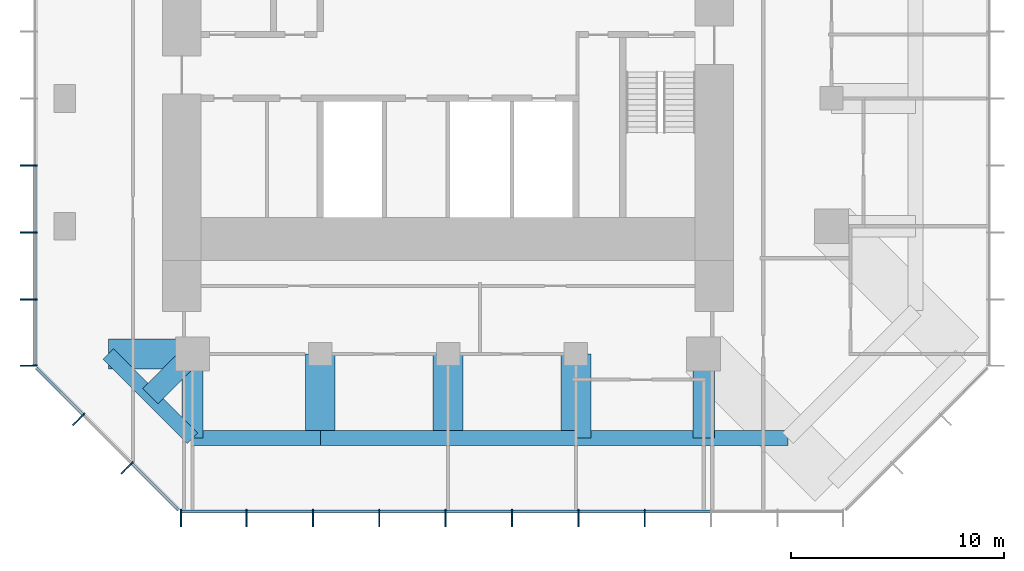
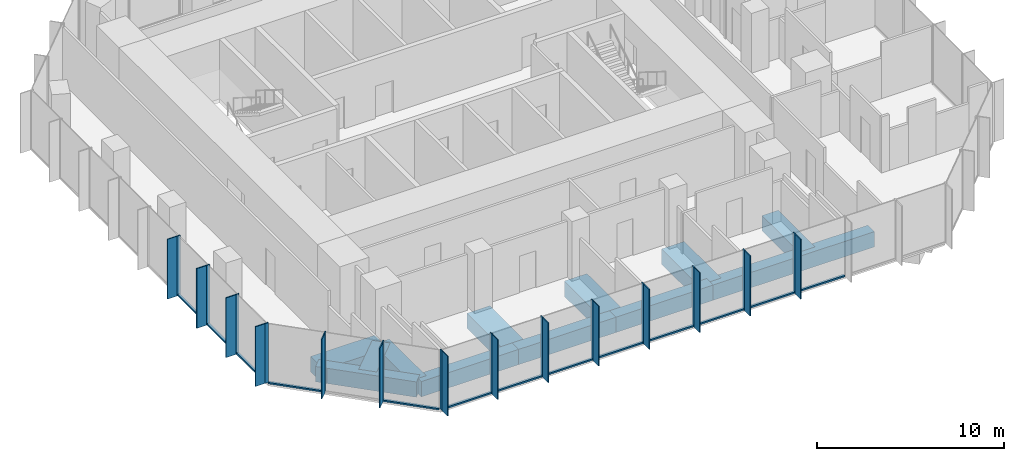
# One storey, part 2 of 11: 41 members, 12 beams, 3 elements without a shape of their own.
"""IFC4 building model written with IfcOpenShell, lengths in metres."""

from ifc_helpers import new_model, si_unit, direction, frame, origin, origin_2d, place, context, subcontext, project, spatial, rectangle, extrude, material, layer, layer_set, material_profile, profile_set, type_object, element, aggregate, save


model = new_model("IFC4")

# Units and contexts
model_context = context("Model", 3, precision=1e-05, world=origin(), true_north=direction((0.0, 1.0)))
body_context = subcontext(model_context, "Body", "Model", "MODEL_VIEW")
ifc_project = project(units=[si_unit("LENGTHUNIT", "METRE"), si_unit("AREAUNIT", "SQUARE_METRE"), si_unit("VOLUMEUNIT", "CUBIC_METRE"), si_unit("PLANEANGLEUNIT", "RADIAN"), si_unit("MASSUNIT", "GRAM", prefix="KILO")], contexts=[model_context])

# Site, building, storey
site_placement = place(None, origin())
site = spatial("IfcSite", under=ifc_project, at=site_placement, CompositionType="ELEMENT")
building_placement = place(site_placement, origin())
building = spatial("IfcBuilding", under=site, at=building_placement, Name="Highveld Stack Headquarters", CompositionType="ELEMENT")
storey_placement = place(building_placement, frame((0.0, 0.0, 284.0)))
storey = spatial("IfcBuildingStorey", under=building, at=storey_placement, Name="L70", CompositionType="ELEMENT", Elevation=284.0)

# Beams
ifc_material_1 = material(Name="Concrete C60/75", Category="concrete")
ifc_material_profile_1 = material_profile(ifc_material_1, rectangle(XDim=1.0, YDim=1.0, at=origin_2d()), Name="RC 1000x1000")
ifc_profile_set_1 = profile_set([ifc_material_profile_1], Name="Concrete C60/75")
beam_type_1 = type_object("IfcBeamType", Name="CANTILEVER RIB RC 1000x1000", PredefinedType="USERDEFINED", material=ifc_profile_set_1)
beam_1_placement = place(storey_placement, frame((-6.0, -12.0, -0.75), z_axis=(0.0, -1.0, 0.0), x_axis=(1.0, 0.0, 0.0)))
element("IfcBeam", 1, at=beam_1_placement, inside=storey, type_object=beam_type_1, Name="Cantilever rib 5/C L70", ObjectType="CANTILEVER RIB", PredefinedType="USERDEFINED", context=body_context, shape_type="SweptSolid", body=[
    extrude(rectangle(XDim=1.0, YDim=1.0, at=origin_2d()), origin(), (0.0, 0.0, 1.0), 3.949951171875),
])
beam_2_placement = place(storey_placement, frame((-6.0, -12.0, -0.75), z_axis=(-0.707106781187, -0.707106781187, 0.0), x_axis=(0.707106781187, -0.707106781187, 0.0)))
element("IfcBeam", 2, at=beam_2_placement, inside=storey, type_object=beam_type_1, Name="Cantilever rib 5/C L70", ObjectType="CANTILEVER RIB", PredefinedType="USERDEFINED", context=body_context, shape_type="SweptSolid", body=[
    extrude(rectangle(XDim=1.0, YDim=1.0, at=origin_2d()), origin(), (0.0, 0.0, 1.0), 2.793212890625),
])
beam_3_placement = place(storey_placement, frame((18.0, -12.0, -0.75), z_axis=(0.0, -1.0, 0.0), x_axis=(1.0, 0.0, 0.0)))
element("IfcBeam", 3, at=beam_3_placement, inside=storey, type_object=beam_type_1, Name="Cantilever rib 9/C L70", ObjectType="CANTILEVER RIB", PredefinedType="USERDEFINED", context=body_context, shape_type="SweptSolid", body=[
    extrude(rectangle(XDim=1.0, YDim=1.0, at=origin_2d()), origin(), (0.0, 0.0, 1.0), 3.949951171875),
])
ifc_material_2 = material(Name="Concrete C60/75", Category="concrete")
ifc_material_profile_2 = material_profile(ifc_material_2, rectangle(XDim=1.39990234375, YDim=1.0, at=origin_2d()), Name="RC 1400x1000")
ifc_profile_set_2 = profile_set([ifc_material_profile_2], Name="Concrete C60/75")
beam_type_2 = type_object("IfcBeamType", Name="CANTILEVER RIB RC 1400x1000", PredefinedType="USERDEFINED", material=ifc_profile_set_2)
for number, where, z_axis, x_axis, name in (
    (4, (-6.0, -12.0, -0.75), (-1.0, 0.0, 0.0), (0.0, -1.0, 0.0), "Cantilever rib 5/C L70"),
    (5, (0.0, -12.0, -0.75), (0.0, -1.0, 0.0), (1.0, 0.0, 0.0), "Cantilever rib 6/C L70"),
    (6, (6.0, -12.0, -0.75), (0.0, -1.0, 0.0), (1.0, 0.0, 0.0), "Cantilever rib 7/C L70"),
    (7, (12.0, -12.0, -0.75), (0.0, -1.0, 0.0), (1.0, 0.0, 0.0), "Cantilever rib 8/C L70"),
):
    element("IfcBeam", number, at=place(storey_placement, frame(where, z_axis=z_axis, x_axis=x_axis)), inside=storey, type_object=beam_type_2, Name=name, ObjectType="CANTILEVER RIB", PredefinedType="USERDEFINED", context=body_context, shape_type="SweptSolid", body=[
        extrude(rectangle(XDim=1.39990234375, YDim=1.0, at=origin_2d()), origin(), (0.0, 0.0, 1.0), 3.949951171875),
    ])

# Curtain wall, members
ifc_material_3 = material(Name="Aluminium bronze anodised", Category="aluminium")
ifc_layer = layer(ifc_material_3, 0.199951171875)
ifc_layer_set = layer_set([ifc_layer], Name="Aluminium bronze anodised")
curtain_wall_type = type_object("IfcCurtainWallType", Name="CW5 EXECUTIVE UNITISED CURTAIN WALL", PredefinedType="NOTDEFINED", material=ifc_layer_set)
curtain_wall_1_placement = place(storey_placement, origin())
curtain_wall_1 = element("IfcCurtainWall", 8, at=curtain_wall_1_placement, inside=storey, type_object=curtain_wall_type, Name="Curtain wall CW5 L70 S", PredefinedType="NOTDEFINED")
ifc_material_4 = material(Name="Aluminium bronze anodised", Category="aluminium")
ifc_material_profile_3 = material_profile(ifc_material_4, rectangle(XDim=0.60009765625, YDim=0.06005859375, at=origin_2d()), Name="FIN 600x60")
ifc_profile_set_3 = profile_set([ifc_material_profile_3], Name="Aluminium bronze anodised")
member_type_1 = type_object("IfcMemberType", Name="CW5 BRONZE FIN 600x60", PredefinedType="USERDEFINED", material=ifc_profile_set_3)
member_1_placement = place(storey_placement, frame((-6.54736328125, -19.800048828125, 0.0), z_axis=(0.0, 0.0, 1.0), x_axis=(0.0, 1.0, 0.0)))
member_1 = element("IfcMember", 9, at=member_1_placement, type_object=member_type_1, Name="CW5 fin L70 1", ObjectType="FIN", PredefinedType="USERDEFINED", context=body_context, shape_type="SweptSolid", body=[
    extrude(rectangle(XDim=0.60009765625, YDim=0.06005859375, at=origin_2d()), origin(), (0.0, 0.0, 1.0), 3.89990234375),
])
member_2_placement = place(storey_placement, frame((-3.4638671875, -19.800048828125, 0.0), z_axis=(0.0, 0.0, 1.0), x_axis=(0.0, 1.0, 0.0)))
member_2 = element("IfcMember", 10, at=member_2_placement, type_object=member_type_1, Name="CW5 fin L70 2", ObjectType="FIN", PredefinedType="USERDEFINED", context=body_context, shape_type="SweptSolid", body=[
    extrude(rectangle(XDim=0.60009765625, YDim=0.06005859375, at=origin_2d()), origin(), (0.0, 0.0, 1.0), 3.89990234375),
])
member_3_placement = place(storey_placement, frame((-0.347900390625, -19.800048828125, 0.0), z_axis=(0.0, 0.0, 1.0), x_axis=(0.0, 1.0, 0.0)))
member_3 = element("IfcMember", 11, at=member_3_placement, type_object=member_type_1, Name="CW5 fin L70 3", ObjectType="FIN", PredefinedType="USERDEFINED", context=body_context, shape_type="SweptSolid", body=[
    extrude(rectangle(XDim=0.60009765625, YDim=0.06005859375, at=origin_2d()), origin(), (0.0, 0.0, 1.0), 3.89990234375),
])
member_4_placement = place(storey_placement, frame((2.76806640625, -19.800048828125, 0.0), z_axis=(0.0, 0.0, 1.0), x_axis=(0.0, 1.0, 0.0)))
member_4 = element("IfcMember", 12, at=member_4_placement, type_object=member_type_1, Name="CW5 fin L70 4", ObjectType="FIN", PredefinedType="USERDEFINED", context=body_context, shape_type="SweptSolid", body=[
    extrude(rectangle(XDim=0.60009765625, YDim=0.06005859375, at=origin_2d()), origin(), (0.0, 0.0, 1.0), 3.89990234375),
])
member_5_placement = place(storey_placement, frame((5.884033203125, -19.800048828125, 0.0), z_axis=(0.0, 0.0, 1.0), x_axis=(0.0, 1.0, 0.0)))
member_5 = element("IfcMember", 13, at=member_5_placement, type_object=member_type_1, Name="CW5 fin L70 5", ObjectType="FIN", PredefinedType="USERDEFINED", context=body_context, shape_type="SweptSolid", body=[
    extrude(rectangle(XDim=0.60009765625, YDim=0.06005859375, at=origin_2d()), origin(), (0.0, 0.0, 1.0), 3.89990234375),
])
member_6_placement = place(storey_placement, frame((9.0, -19.800048828125, 0.0), z_axis=(0.0, 0.0, 1.0), x_axis=(0.0, 1.0, 0.0)))
member_6 = element("IfcMember", 14, at=member_6_placement, type_object=member_type_1, Name="CW5 fin L70 6", ObjectType="FIN", PredefinedType="USERDEFINED", context=body_context, shape_type="SweptSolid", body=[
    extrude(rectangle(XDim=0.60009765625, YDim=0.06005859375, at=origin_2d()), origin(), (0.0, 0.0, 1.0), 3.89990234375),
])
member_7_placement = place(storey_placement, frame((12.115966796875, -19.800048828125, 0.0), z_axis=(0.0, 0.0, 1.0), x_axis=(0.0, 1.0, 0.0)))
member_7 = element("IfcMember", 15, at=member_7_placement, type_object=member_type_1, Name="CW5 fin L70 7", ObjectType="FIN", PredefinedType="USERDEFINED", context=body_context, shape_type="SweptSolid", body=[
    extrude(rectangle(XDim=0.60009765625, YDim=0.06005859375, at=origin_2d()), origin(), (0.0, 0.0, 1.0), 3.89990234375),
])
member_8_placement = place(storey_placement, frame((15.23193359375, -19.800048828125, 0.0), z_axis=(0.0, 0.0, 1.0), x_axis=(0.0, 1.0, 0.0)))
member_8 = element("IfcMember", 16, at=member_8_placement, type_object=member_type_1, Name="CW5 fin L70 8", ObjectType="FIN", PredefinedType="USERDEFINED", context=body_context, shape_type="SweptSolid", body=[
    extrude(rectangle(XDim=0.60009765625, YDim=0.06005859375, at=origin_2d()), origin(), (0.0, 0.0, 1.0), 3.89990234375),
])

curtain_wall_2_placement = place(storey_placement, origin())
curtain_wall_2 = element("IfcCurtainWall", 17, at=curtain_wall_2_placement, inside=storey, type_object=curtain_wall_type, Name="Curtain wall CW5 L70 W", PredefinedType="NOTDEFINED")
member_9_placement = place(storey_placement, frame((-13.800048828125, -3.14501953125, 0.0), z_axis=(0.0, 0.0, 1.0), x_axis=(1.0, 0.0, 0.0)))
member_9 = element("IfcMember", 18, at=member_9_placement, type_object=member_type_1, Name="CW5 fin L70 6", ObjectType="FIN", PredefinedType="USERDEFINED", context=body_context, shape_type="SweptSolid", body=[
    extrude(rectangle(XDim=0.60009765625, YDim=0.06005859375, at=origin_2d()), origin(), (0.0, 0.0, 1.0), 3.89990234375),
])
member_10_placement = place(storey_placement, frame((-13.800048828125, -6.289794921875, 0.0), z_axis=(0.0, 0.0, 1.0), x_axis=(1.0, 0.0, 0.0)))
member_10 = element("IfcMember", 19, at=member_10_placement, type_object=member_type_1, Name="CW5 fin L70 7", ObjectType="FIN", PredefinedType="USERDEFINED", context=body_context, shape_type="SweptSolid", body=[
    extrude(rectangle(XDim=0.60009765625, YDim=0.06005859375, at=origin_2d()), origin(), (0.0, 0.0, 1.0), 3.89990234375),
])
member_11_placement = place(storey_placement, frame((-13.800048828125, -9.434814453125, 0.0), z_axis=(0.0, 0.0, 1.0), x_axis=(1.0, 0.0, 0.0)))
member_11 = element("IfcMember", 20, at=member_11_placement, type_object=member_type_1, Name="CW5 fin L70 8", ObjectType="FIN", PredefinedType="USERDEFINED", context=body_context, shape_type="SweptSolid", body=[
    extrude(rectangle(XDim=0.60009765625, YDim=0.06005859375, at=origin_2d()), origin(), (0.0, 0.0, 1.0), 3.89990234375),
])
member_12_placement = place(storey_placement, frame((-13.800048828125, -12.54736328125, 0.0), z_axis=(0.0, 0.0, 1.0), x_axis=(1.0, 0.0, 0.0)))
member_12 = element("IfcMember", 21, at=member_12_placement, type_object=member_type_1, Name="CW5 fin L70 9", ObjectType="FIN", PredefinedType="USERDEFINED", context=body_context, shape_type="SweptSolid", body=[
    extrude(rectangle(XDim=0.60009765625, YDim=0.06005859375, at=origin_2d()), origin(), (0.0, 0.0, 1.0), 3.89990234375),
])

curtain_wall_3_placement = place(storey_placement, origin())
curtain_wall_3 = element("IfcCurtainWall", 22, at=curtain_wall_3_placement, inside=storey, type_object=curtain_wall_type, Name="Curtain wall CW5 L70 SW", PredefinedType="NOTDEFINED")
member_13_placement = place(storey_placement, frame((-11.409423828125, -15.135986328125, 0.0), z_axis=(0.0, 0.0, 1.0), x_axis=(0.707106781187, 0.707106781187, 0.0)))
member_13 = element("IfcMember", 23, at=member_13_placement, type_object=member_type_1, Name="CW5 fin L70 1", ObjectType="FIN", PredefinedType="USERDEFINED", context=body_context, shape_type="SweptSolid", body=[
    extrude(rectangle(XDim=0.60009765625, YDim=0.06005859375, at=origin_2d()), origin(), (0.0, 0.0, 1.0), 3.89990234375),
])
member_14_placement = place(storey_placement, frame((-9.135986328125, -17.409423828125, 0.0), z_axis=(0.0, 0.0, 1.0), x_axis=(0.707106781187, 0.707106781187, 0.0)))
member_14 = element("IfcMember", 24, at=member_14_placement, type_object=member_type_1, Name="CW5 fin L70 2", ObjectType="FIN", PredefinedType="USERDEFINED", context=body_context, shape_type="SweptSolid", body=[
    extrude(rectangle(XDim=0.60009765625, YDim=0.06005859375, at=origin_2d()), origin(), (0.0, 0.0, 1.0), 3.89990234375),
])

# Member
ifc_material_5 = material(Name="Aluminium bronze anodised", Category="aluminium")
ifc_material_profile_4 = material_profile(ifc_material_5, rectangle(XDim=0.199951171875, YDim=0.06494140625, at=origin_2d()), Name="CW5 MULLION 65x200")
ifc_profile_set_4 = profile_set([ifc_material_profile_4], Name="Aluminium bronze anodised")
member_type_2 = type_object("IfcMemberType", Name="CW5 MULLION 65x200", PredefinedType="MULLION", material=ifc_profile_set_4)
member_15_placement = place(storey_placement, frame((-6.54736328125, -19.39990234375, 0.0), z_axis=(0.0, 0.0, 1.0), x_axis=(0.0, 1.0, 0.0)))
member_15 = element("IfcMember", 25, at=member_15_placement, type_object=member_type_2, Name="CW5 mullion L70 1", PredefinedType="MULLION", context=body_context, shape_type="SweptSolid", body=[
    extrude(rectangle(XDim=0.199951171875, YDim=0.06494140625, at=origin_2d()), origin(), (0.0, 0.0, 1.0), 3.89990234375),
])

member_16_placement = place(storey_placement, frame((-3.4638671875, -19.39990234375, 0.0), z_axis=(0.0, 0.0, 1.0), x_axis=(0.0, 1.0, 0.0)))
member_16 = element("IfcMember", 26, at=member_16_placement, type_object=member_type_2, Name="CW5 mullion L70 2", PredefinedType="MULLION", context=body_context, shape_type="SweptSolid", body=[
    extrude(rectangle(XDim=0.199951171875, YDim=0.06494140625, at=origin_2d()), origin(), (0.0, 0.0, 1.0), 3.89990234375),
])

member_17_placement = place(storey_placement, frame((-0.347900390625, -19.39990234375, 0.0), z_axis=(0.0, 0.0, 1.0), x_axis=(0.0, 1.0, 0.0)))
member_17 = element("IfcMember", 27, at=member_17_placement, type_object=member_type_2, Name="CW5 mullion L70 3", PredefinedType="MULLION", context=body_context, shape_type="SweptSolid", body=[
    extrude(rectangle(XDim=0.199951171875, YDim=0.06494140625, at=origin_2d()), origin(), (0.0, 0.0, 1.0), 3.89990234375),
])

member_18_placement = place(storey_placement, frame((2.76806640625, -19.39990234375, 0.0), z_axis=(0.0, 0.0, 1.0), x_axis=(0.0, 1.0, 0.0)))
member_18 = element("IfcMember", 28, at=member_18_placement, type_object=member_type_2, Name="CW5 mullion L70 4", PredefinedType="MULLION", context=body_context, shape_type="SweptSolid", body=[
    extrude(rectangle(XDim=0.199951171875, YDim=0.06494140625, at=origin_2d()), origin(), (0.0, 0.0, 1.0), 3.89990234375),
])

member_19_placement = place(storey_placement, frame((5.884033203125, -19.39990234375, 0.0), z_axis=(0.0, 0.0, 1.0), x_axis=(0.0, 1.0, 0.0)))
member_19 = element("IfcMember", 29, at=member_19_placement, type_object=member_type_2, Name="CW5 mullion L70 5", PredefinedType="MULLION", context=body_context, shape_type="SweptSolid", body=[
    extrude(rectangle(XDim=0.199951171875, YDim=0.06494140625, at=origin_2d()), origin(), (0.0, 0.0, 1.0), 3.89990234375),
])

member_20_placement = place(storey_placement, frame((9.0, -19.39990234375, 0.0), z_axis=(0.0, 0.0, 1.0), x_axis=(0.0, 1.0, 0.0)))
member_20 = element("IfcMember", 30, at=member_20_placement, type_object=member_type_2, Name="CW5 mullion L70 6", PredefinedType="MULLION", context=body_context, shape_type="SweptSolid", body=[
    extrude(rectangle(XDim=0.199951171875, YDim=0.06494140625, at=origin_2d()), origin(), (0.0, 0.0, 1.0), 3.89990234375),
])

member_21_placement = place(storey_placement, frame((12.115966796875, -19.39990234375, 0.0), z_axis=(0.0, 0.0, 1.0), x_axis=(0.0, 1.0, 0.0)))
member_21 = element("IfcMember", 31, at=member_21_placement, type_object=member_type_2, Name="CW5 mullion L70 7", PredefinedType="MULLION", context=body_context, shape_type="SweptSolid", body=[
    extrude(rectangle(XDim=0.199951171875, YDim=0.06494140625, at=origin_2d()), origin(), (0.0, 0.0, 1.0), 3.89990234375),
])

member_22_placement = place(storey_placement, frame((15.23193359375, -19.39990234375, 0.0), z_axis=(0.0, 0.0, 1.0), x_axis=(0.0, 1.0, 0.0)))
member_22 = element("IfcMember", 32, at=member_22_placement, type_object=member_type_2, Name="CW5 mullion L70 8", PredefinedType="MULLION", context=body_context, shape_type="SweptSolid", body=[
    extrude(rectangle(XDim=0.199951171875, YDim=0.06494140625, at=origin_2d()), origin(), (0.0, 0.0, 1.0), 3.89990234375),
])

member_23_placement = place(storey_placement, frame((-13.39990234375, -3.14501953125, 0.0), z_axis=(0.0, 0.0, 1.0), x_axis=(1.0, 0.0, 0.0)))
member_23 = element("IfcMember", 33, at=member_23_placement, type_object=member_type_2, Name="CW5 mullion L70 6", PredefinedType="MULLION", context=body_context, shape_type="SweptSolid", body=[
    extrude(rectangle(XDim=0.199951171875, YDim=0.06494140625, at=origin_2d()), origin(), (0.0, 0.0, 1.0), 3.89990234375),
])

member_24_placement = place(storey_placement, frame((-13.39990234375, -6.289794921875, 0.0), z_axis=(0.0, 0.0, 1.0), x_axis=(1.0, 0.0, 0.0)))
member_24 = element("IfcMember", 34, at=member_24_placement, type_object=member_type_2, Name="CW5 mullion L70 7", PredefinedType="MULLION", context=body_context, shape_type="SweptSolid", body=[
    extrude(rectangle(XDim=0.199951171875, YDim=0.06494140625, at=origin_2d()), origin(), (0.0, 0.0, 1.0), 3.89990234375),
])

member_25_placement = place(storey_placement, frame((-13.39990234375, -9.434814453125, 0.0), z_axis=(0.0, 0.0, 1.0), x_axis=(1.0, 0.0, 0.0)))
member_25 = element("IfcMember", 35, at=member_25_placement, type_object=member_type_2, Name="CW5 mullion L70 8", PredefinedType="MULLION", context=body_context, shape_type="SweptSolid", body=[
    extrude(rectangle(XDim=0.199951171875, YDim=0.06494140625, at=origin_2d()), origin(), (0.0, 0.0, 1.0), 3.89990234375),
])

member_26_placement = place(storey_placement, frame((-13.39990234375, -12.54736328125, 0.0), z_axis=(0.0, 0.0, 1.0), x_axis=(1.0, 0.0, 0.0)))
member_26 = element("IfcMember", 36, at=member_26_placement, type_object=member_type_2, Name="CW5 mullion L70 9", PredefinedType="MULLION", context=body_context, shape_type="SweptSolid", body=[
    extrude(rectangle(XDim=0.199951171875, YDim=0.06494140625, at=origin_2d()), origin(), (0.0, 0.0, 1.0), 3.89990234375),
])

member_27_placement = place(storey_placement, frame((-11.126708984375, -14.853271484375, 0.0), z_axis=(0.0, 0.0, 1.0), x_axis=(0.707106781187, 0.707106781187, 0.0)))
member_27 = element("IfcMember", 37, at=member_27_placement, type_object=member_type_2, Name="CW5 mullion L70 1", PredefinedType="MULLION", context=body_context, shape_type="SweptSolid", body=[
    extrude(rectangle(XDim=0.199951171875, YDim=0.06494140625, at=origin_2d()), origin(), (0.0, 0.0, 1.0), 3.89990234375),
])

member_28_placement = place(storey_placement, frame((-8.853271484375, -17.126708984375, 0.0), z_axis=(0.0, 0.0, 1.0), x_axis=(0.707106781187, 0.707106781187, 0.0)))
member_28 = element("IfcMember", 38, at=member_28_placement, type_object=member_type_2, Name="CW5 mullion L70 2", PredefinedType="MULLION", context=body_context, shape_type="SweptSolid", body=[
    extrude(rectangle(XDim=0.199951171875, YDim=0.06494140625, at=origin_2d()), origin(), (0.0, 0.0, 1.0), 3.89990234375),
])

ifc_material_6 = material(Name="Aluminium bronze anodised", Category="aluminium")
ifc_material_profile_5 = material_profile(ifc_material_6, rectangle(XDim=0.14990234375, YDim=0.10009765625, at=origin_2d()), Name="CW5 TRANSOM 150x100")
ifc_profile_set_5 = profile_set([ifc_material_profile_5], Name="Aluminium bronze anodised")
member_type_3 = type_object("IfcMemberType", Name="CW5 STACK TRANSOM 150x100", PredefinedType="USERDEFINED", material=ifc_profile_set_5)
member_29_placement = place(storey_placement, frame((-6.514892578125, -19.39990234375, 0.050048828125), z_axis=(1.0, 0.0, 0.0), x_axis=(0.0, 1.0, 0.0)))
member_29 = element("IfcMember", 39, at=member_29_placement, type_object=member_type_3, Name="CW5 transom L70 1.1", ObjectType="TRANSOM", PredefinedType="USERDEFINED", context=body_context, shape_type="SweptSolid", body=[
    extrude(rectangle(XDim=0.14990234375, YDim=0.10009765625, at=origin_2d()), origin(), (0.0, 0.0, 1.0), 3.0185546875),
])

member_30_placement = place(storey_placement, frame((-3.431396484375, -19.39990234375, 0.050048828125), z_axis=(1.0, 0.0, 0.0), x_axis=(0.0, 1.0, 0.0)))
member_30 = element("IfcMember", 40, at=member_30_placement, type_object=member_type_3, Name="CW5 transom L70 2.1", ObjectType="TRANSOM", PredefinedType="USERDEFINED", context=body_context, shape_type="SweptSolid", body=[
    extrude(rectangle(XDim=0.14990234375, YDim=0.10009765625, at=origin_2d()), origin(), (0.0, 0.0, 1.0), 3.051025390625),
])

member_31_placement = place(storey_placement, frame((-0.3154296875, -19.39990234375, 0.050048828125), z_axis=(1.0, 0.0, 0.0), x_axis=(0.0, 1.0, 0.0)))
member_31 = element("IfcMember", 41, at=member_31_placement, type_object=member_type_3, Name="CW5 transom L70 3.1", ObjectType="TRANSOM", PredefinedType="USERDEFINED", context=body_context, shape_type="SweptSolid", body=[
    extrude(rectangle(XDim=0.14990234375, YDim=0.10009765625, at=origin_2d()), origin(), (0.0, 0.0, 1.0), 3.051025390625),
])

member_32_placement = place(storey_placement, frame((2.800537109375, -19.39990234375, 0.050048828125), z_axis=(1.0, 0.0, 0.0), x_axis=(0.0, 1.0, 0.0)))
member_32 = element("IfcMember", 42, at=member_32_placement, type_object=member_type_3, Name="CW5 transom L70 4.1", ObjectType="TRANSOM", PredefinedType="USERDEFINED", context=body_context, shape_type="SweptSolid", body=[
    extrude(rectangle(XDim=0.14990234375, YDim=0.10009765625, at=origin_2d()), origin(), (0.0, 0.0, 1.0), 3.051025390625),
])

member_33_placement = place(storey_placement, frame((5.91650390625, -19.39990234375, 0.050048828125), z_axis=(1.0, 0.0, 0.0), x_axis=(0.0, 1.0, 0.0)))
member_33 = element("IfcMember", 43, at=member_33_placement, type_object=member_type_3, Name="CW5 transom L70 5.1", ObjectType="TRANSOM", PredefinedType="USERDEFINED", context=body_context, shape_type="SweptSolid", body=[
    extrude(rectangle(XDim=0.14990234375, YDim=0.10009765625, at=origin_2d()), origin(), (0.0, 0.0, 1.0), 3.051025390625),
])

member_34_placement = place(storey_placement, frame((9.032470703125, -19.39990234375, 0.050048828125), z_axis=(1.0, 0.0, 0.0), x_axis=(0.0, 1.0, 0.0)))
member_34 = element("IfcMember", 44, at=member_34_placement, type_object=member_type_3, Name="CW5 transom L70 6.1", ObjectType="TRANSOM", PredefinedType="USERDEFINED", context=body_context, shape_type="SweptSolid", body=[
    extrude(rectangle(XDim=0.14990234375, YDim=0.10009765625, at=origin_2d()), origin(), (0.0, 0.0, 1.0), 3.051025390625),
])

member_35_placement = place(storey_placement, frame((12.1484375, -19.39990234375, 0.050048828125), z_axis=(1.0, 0.0, 0.0), x_axis=(0.0, 1.0, 0.0)))
member_35 = element("IfcMember", 45, at=member_35_placement, type_object=member_type_3, Name="CW5 transom L70 7.1", ObjectType="TRANSOM", PredefinedType="USERDEFINED", context=body_context, shape_type="SweptSolid", body=[
    extrude(rectangle(XDim=0.14990234375, YDim=0.10009765625, at=origin_2d()), origin(), (0.0, 0.0, 1.0), 3.051025390625),
])

member_36_placement = place(storey_placement, frame((15.264404296875, -19.39990234375, 0.050048828125), z_axis=(1.0, 0.0, 0.0), x_axis=(0.0, 1.0, 0.0)))
member_36 = element("IfcMember", 46, at=member_36_placement, type_object=member_type_3, Name="CW5 transom L70 8.1", ObjectType="TRANSOM", PredefinedType="USERDEFINED", context=body_context, shape_type="SweptSolid", body=[
    extrude(rectangle(XDim=0.14990234375, YDim=0.10009765625, at=origin_2d()), origin(), (0.0, 0.0, 1.0), 3.051025390625),
])

aggregate(curtain_wall_1, [member_15, member_1, member_16, member_2, member_17, member_3, member_18, member_4, member_19, member_5, member_20, member_6, member_21, member_7, member_22, member_8, member_29, member_30, member_31, member_32, member_33, member_34, member_35, member_36])

member_37_placement = place(storey_placement, frame((-13.39990234375, -3.177490234375, 0.050048828125), z_axis=(0.0, -1.0, 0.0), x_axis=(1.0, 0.0, 0.0)))
member_37 = element("IfcMember", 47, at=member_37_placement, type_object=member_type_3, Name="CW5 transom L70 6.1", ObjectType="TRANSOM", PredefinedType="USERDEFINED", context=body_context, shape_type="SweptSolid", body=[
    extrude(rectangle(XDim=0.14990234375, YDim=0.10009765625, at=origin_2d()), origin(), (0.0, 0.0, 1.0), 3.080078125),
])

member_38_placement = place(storey_placement, frame((-13.39990234375, -6.322509765625, 0.050048828125), z_axis=(0.0, -1.0, 0.0), x_axis=(1.0, 0.0, 0.0)))
member_38 = element("IfcMember", 48, at=member_38_placement, type_object=member_type_3, Name="CW5 transom L70 7.1", ObjectType="TRANSOM", PredefinedType="USERDEFINED", context=body_context, shape_type="SweptSolid", body=[
    extrude(rectangle(XDim=0.14990234375, YDim=0.10009765625, at=origin_2d()), origin(), (0.0, 0.0, 1.0), 3.079833984375),
])

member_39_placement = place(storey_placement, frame((-13.39990234375, -9.46728515625, 0.050048828125), z_axis=(0.0, -1.0, 0.0), x_axis=(1.0, 0.0, 0.0)))
member_39 = element("IfcMember", 49, at=member_39_placement, type_object=member_type_3, Name="CW5 transom L70 8.1", ObjectType="TRANSOM", PredefinedType="USERDEFINED", context=body_context, shape_type="SweptSolid", body=[
    extrude(rectangle(XDim=0.14990234375, YDim=0.10009765625, at=origin_2d()), origin(), (0.0, 0.0, 1.0), 3.047607421875),
])

aggregate(curtain_wall_2, [member_23, member_9, member_24, member_10, member_25, member_11, member_26, member_12, member_37, member_38, member_39])

member_40_placement = place(storey_placement, frame((-13.329345703125, -12.650634765625, 0.050048828125), z_axis=(0.707106781187, -0.707106781187, 0.0), x_axis=(0.707106781187, 0.707106781187, 0.0)))
member_40 = element("IfcMember", 50, at=member_40_placement, type_object=member_type_3, Name="CW5 transom L70 1.1", ObjectType="TRANSOM", PredefinedType="USERDEFINED", context=body_context, shape_type="SweptSolid", body=[
    extrude(rectangle(XDim=0.14990234375, YDim=0.10009765625, at=origin_2d()), origin(), (0.0, 0.0, 1.0), 3.08251953125),
])

member_41_placement = place(storey_placement, frame((-8.830322265625, -17.149658203125, 0.050048828125), z_axis=(0.707106781187, -0.707106781187, 0.0), x_axis=(0.707106781187, 0.707106781187, 0.0)))
member_41 = element("IfcMember", 51, at=member_41_placement, type_object=member_type_3, Name="CW5 transom L70 3.1", ObjectType="TRANSOM", PredefinedType="USERDEFINED", context=body_context, shape_type="SweptSolid", body=[
    extrude(rectangle(XDim=0.14990234375, YDim=0.10009765625, at=origin_2d()), origin(), (0.0, 0.0, 1.0), 3.08251953125),
])

aggregate(curtain_wall_3, [member_27, member_13, member_28, member_14, member_40, member_41])

# Beams
ifc_material_7 = material(Name="Concrete C60/75", Category="concrete")
ifc_material_profile_6 = material_profile(ifc_material_7, rectangle(XDim=0.699951171875, YDim=1.0, at=origin_2d()), Name="RC 700x1000")
ifc_profile_set_6 = profile_set([ifc_material_profile_6], Name="Concrete C60/75")
beam_type_3 = type_object("IfcBeamType", Name="RIB TIP BEAM RC 700x1000", PredefinedType="SPANDREL", material=ifc_profile_set_6)
for number, where, z_axis, x_axis, name in (
    (52, (-6.0, -15.949951171875, -0.75), (1.0, 0.0, 0.0), (0.0, 1.0, 0.0), "Rib tip beam 5/C to 6/C L70"),
    (53, (0.0, -15.949951171875, -0.75), (1.0, 0.0, 0.0), (0.0, 1.0, 0.0), "Rib tip beam 6/C to 7/C L70"),
    (54, (6.0, -15.949951171875, -0.75), (1.0, 0.0, 0.0), (0.0, 1.0, 0.0), "Rib tip beam 7/C to 8/C L70"),
):
    element("IfcBeam", number, at=place(storey_placement, frame(where, z_axis=z_axis, x_axis=x_axis)), inside=storey, type_object=beam_type_3, Name=name, PredefinedType="SPANDREL", context=body_context, shape_type="SweptSolid", body=[
        extrude(rectangle(XDim=0.699951171875, YDim=1.0, at=origin_2d()), origin(), (0.0, 0.0, 1.0), 6.0),
    ])
beam_4_placement = place(storey_placement, frame((12.0, -15.949951171875, -0.75), z_axis=(1.0, 0.0, 0.0), x_axis=(0.0, 1.0, 0.0)))
element("IfcBeam", 55, at=beam_4_placement, inside=storey, type_object=beam_type_3, Name="Rib tip beam 8/C to 9/C L70", PredefinedType="SPANDREL", context=body_context, shape_type="SweptSolid", body=[
    extrude(rectangle(XDim=0.699951171875, YDim=1.0, at=origin_2d()), origin(), (0.0, 0.0, 1.0), 9.949951171875),
])
beam_5_placement = place(storey_placement, frame((-9.949951171875, -12.0, -0.75), z_axis=(0.707106781187, -0.707106781187, 0.0), x_axis=(0.707106781187, 0.707106781187, 0.0)))
element("IfcBeam", 56, at=beam_5_placement, inside=storey, type_object=beam_type_3, Name="Rib tip beam 5/C corner L70", PredefinedType="SPANDREL", context=body_context, shape_type="SweptSolid", body=[
    extrude(rectangle(XDim=0.699951171875, YDim=1.0, at=origin_2d()), origin(), (0.0, 0.0, 1.0), 5.586181640625),
])

save(model, "model.ifc")
